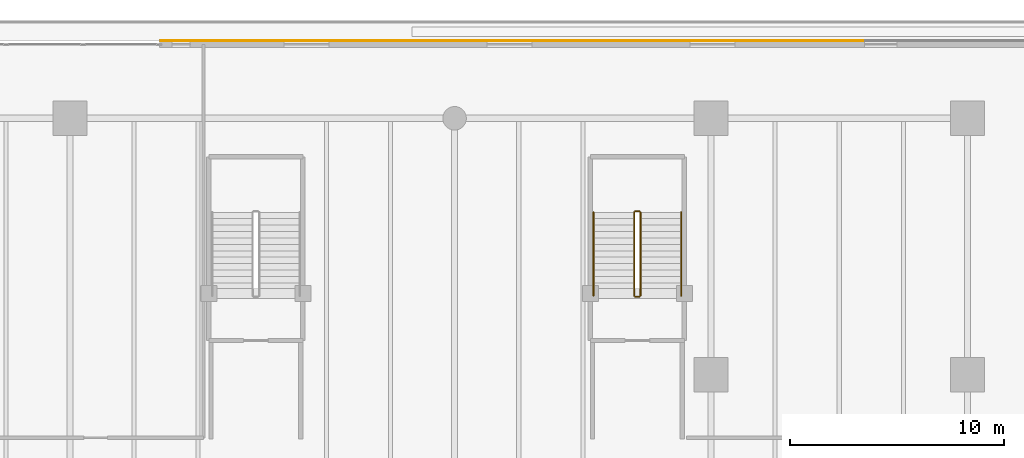
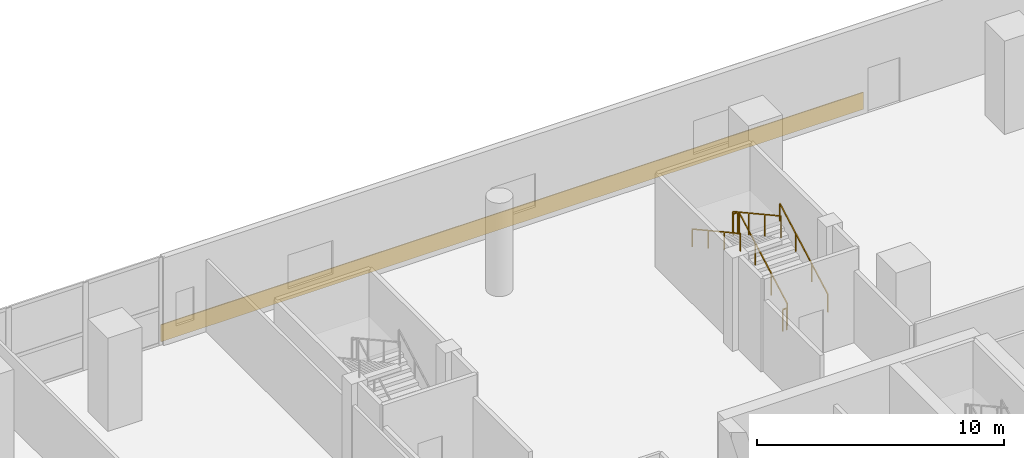
# One storey, part 26 of 27: 6 railings, 1 covering.
"""IFC4 building model written with IfcOpenShell, lengths in metres."""

import ifcopenshell
import ifcopenshell.guid

model = None  # the IFC model being written
_history = None  # IfcOwnerHistory: only IFC2X3 demands one
_inside = {}  # id of a spatial element -> (the spatial element, [elements in it])
_under = {}  # id of a project, library or spatial element -> (it, [spatial elements below it])
_declared = {}  # id of a project -> (the project, [libraries it declares])
_typed = {}  # id of a type object -> (the type object, [elements of that type])
_made_of = {}  # id of a material, layer set ... -> (it, [elements and type objects made of it])


def new_model(schema):
    """Start an empty IFC model of exactly this schema.

    Asked for "IFC4X3", IfcOpenShell would pick the latest addendum, in which some entities
    have other attributes; the version numbers below select the first issue.
    IFC2X3 requires an IfcOwnerHistory on every rooted entity: one is made here for all.
    """
    global model, _history
    if schema == "IFC4X3":
        model = ifcopenshell.file(schema_version=(4, 3, 0, 0))
    else:
        model = ifcopenshell.file(schema=schema)
    _inside.clear()
    _under.clear()
    _declared.clear()
    _typed.clear()
    _made_of.clear()
    _history = None
    if model.schema == "IFC2X3":
        org = make("IfcOrganization", Name="unknown")
        user = make(
            "IfcPersonAndOrganization",
            ThePerson=make("IfcPerson", FamilyName="unknown"),
            TheOrganization=org,
        )
        app = make(
            "IfcApplication",
            ApplicationDeveloper=org,
            Version="unknown",
            ApplicationFullName="unknown",
            ApplicationIdentifier="unknown",
        )
        _history = make(
            "IfcOwnerHistory",
            OwningUser=user,
            OwningApplication=app,
            ChangeAction="ADDED",
            CreationDate=0,
        )
    return model


def make(cls, **values):
    """One entity of the class cls with the attributes given. An attribute that is None is left unset."""
    return model.create_entity(
        cls, **{name: value for name, value in values.items() if value is not None}
    )


def rooted(cls, **values):
    """An entity with a GlobalId (a new one), such as an element, a storey or a relation."""
    return make(cls, GlobalId=ifcopenshell.guid.new(), OwnerHistory=_history, **values)


def si_unit(unit_type, name, prefix=None):
    """IfcSIUnit, for example si_unit("LENGTHUNIT", "METRE", prefix="MILLI")."""
    return make("IfcSIUnit", UnitType=unit_type, Prefix=prefix, Name=name)


def assignment(units):
    """IfcUnitAssignment: the units of a project."""
    return None if units is None else make("IfcUnitAssignment", Units=units)


def point(xyz):
    """IfcCartesianPoint."""
    return None if xyz is None else make("IfcCartesianPoint", Coordinates=xyz)


def direction(xyz):
    """IfcDirection."""
    return None if xyz is None else make("IfcDirection", DirectionRatios=xyz)


def frame(location, z_axis=None, x_axis=None):
    """IfcAxis2Placement3D, a coordinate frame: its origin and axes. An axis left out is left unset."""
    return make(
        "IfcAxis2Placement3D",
        Location=point(location),
        Axis=direction(z_axis),
        RefDirection=direction(x_axis),
    )


def frame_2d(location, x_axis=None):
    """IfcAxis2Placement2D, a coordinate frame in the plane: its origin and x axis."""
    return make(
        "IfcAxis2Placement2D", Location=point(location), RefDirection=direction(x_axis)
    )


def origin():
    """The frame at (0, 0, 0) with its axes left unset."""
    return frame((0.0, 0.0, 0.0))


def origin_2d():
    """The frame at (0, 0) in the plane with its x axis left unset."""
    return frame_2d((0.0, 0.0))


def place(relative_to, where):
    """IfcLocalPlacement: puts the frame where relative to a parent placement (None: the world)."""
    return make(
        "IfcLocalPlacement", PlacementRelTo=relative_to, RelativePlacement=where
    )


def context(
    kind, dimensions, precision=None, world=None, true_north=None, identifier=None
):
    """IfcGeometricRepresentationContext, for example the 3D "Model" context."""
    return make(
        "IfcGeometricRepresentationContext",
        ContextIdentifier=identifier,
        ContextType=kind,
        CoordinateSpaceDimension=dimensions,
        Precision=precision,
        WorldCoordinateSystem=world,
        TrueNorth=true_north,
    )


def subcontext(parent, identifier, kind, view, scale=None):
    """IfcGeometricRepresentationSubContext, for example "Body" below "Model"."""
    return make(
        "IfcGeometricRepresentationSubContext",
        ContextIdentifier=identifier,
        ContextType=kind,
        ParentContext=parent,
        TargetScale=scale,
        TargetView=view,
    )


def project(units=None, contexts=None):
    """IfcProject with its units and contexts."""
    return rooted(
        "IfcProject",
        Name="project",
        RepresentationContexts=contexts,
        UnitsInContext=assignment(units),
    )


def spatial(cls, under=None, at=None, **own):
    """A site, building, storey or space (cls), placed at a placement, below another one or the project."""
    s = rooted(cls, ObjectPlacement=at, **own)
    if under is not None:
        _under.setdefault(under.id(), (under, []))[1].append(s)
    return s


def profile(cls, at=None, kind="AREA", **sizes):
    """A parametric profile (cls). Its sizes go by their IFC names, for example OverallWidth=200.0."""
    return make(cls, ProfileType=kind, Position=at, **sizes)


def rectangle(**sizes):
    """IfcRectangleProfileDef."""
    return profile("IfcRectangleProfileDef", **sizes)


def extrude(swept, where, along, depth):
    """IfcExtrudedAreaSolid: the profile swept, set in the frame where, extruded along a direction by depth."""
    return make(
        "IfcExtrudedAreaSolid",
        SweptArea=swept,
        Position=where,
        ExtrudedDirection=direction(along),
        Depth=depth,
    )


def shape(context_of_items, identifier, shape_type, items):
    """IfcShapeRepresentation: the items that make up one representation, for example the "Body"."""
    return make(
        "IfcShapeRepresentation",
        ContextOfItems=context_of_items,
        RepresentationIdentifier=identifier,
        RepresentationType=shape_type,
        Items=items,
    )


def material(Name=None, Category=None):
    """IfcMaterial."""
    return make("IfcMaterial", Name=Name, Category=Category)


def layer(
    of_material, thickness, ventilated=None, Name=None, Category=None, Priority=None
):
    """IfcMaterialLayer: one layer of a wall or slab, of a material (None: an air gap)."""
    return make(
        "IfcMaterialLayer",
        Material=of_material,
        LayerThickness=thickness,
        IsVentilated=ventilated,
        Name=Name,
        Category=Category,
        Priority=Priority,
    )


def layer_set(layers, Name=None):
    """IfcMaterialLayerSet."""
    return make("IfcMaterialLayerSet", MaterialLayers=layers, LayerSetName=Name)


def made_of(thing, what):
    """Note that an element or type object is made of a material, layer set ...; save() writes the relation."""
    if what is not None:
        _made_of.setdefault(what.id(), (what, []))[1].append(thing)
    return thing


def type_object(cls, material=None, **own):
    """A type object (cls), such as IfcWallType, which elements share."""
    return made_of(rooted(cls, **own), material)


def element(
    cls,
    number,
    at=None,
    inside=None,
    cuts=None,
    type_object=None,
    material=None,
    context=None,
    identifier="Body",
    shape_type=None,
    held_by="IfcProductDefinitionShape",
    body=None,
    shapes=None,
    **own,
):
    """One element of the class cls, such as IfcWall. Its Tag is "e" and its number.

    at: its placement. inside: the storey or other place that contains it. cuts: it is an
    opening in that element (IfcRelVoidsElement). A single representation is given by context,
    identifier, shape_type and body (its items); several are given by shapes. held_by: the class
    of the entity that holds the representations. save() writes the other relations.
    """
    e = rooted(cls, Tag="e%d" % number, ObjectPlacement=at, **own)
    if body is not None:
        shapes = [shape(context, identifier, shape_type, body)]
    if shapes is not None:
        e.Representation = make(held_by, Representations=shapes)
    if inside is not None:
        _inside.setdefault(inside.id(), (inside, []))[1].append(e)
    if cuts is not None:
        rooted(
            "IfcRelVoidsElement", RelatingBuildingElement=cuts, RelatedOpeningElement=e
        )
    if type_object is not None:
        _typed.setdefault(type_object.id(), (type_object, []))[1].append(e)
    return made_of(e, material)


def aggregate(whole, parts):
    """IfcRelAggregates: a whole, such as a stair, and the parts it consists of."""
    return rooted("IfcRelAggregates", RelatingObject=whole, RelatedObjects=parts)


def save(model, path):
    """Write the relations noted so far, then the file.

    IfcRelAggregates (storeys below a building ...), IfcRelContainedInSpatialStructure (elements
    in a storey), IfcRelDefinesByType, IfcRelAssociatesMaterial and IfcRelDeclares: one each for
    every whole, place, type object, material and project.
    """
    for whole, parts in _under.values():
        aggregate(whole, parts)
    for where, things in _inside.values():
        rooted(
            "IfcRelContainedInSpatialStructure",
            RelatedElements=things,
            RelatingStructure=where,
        )
    for kind, things in _typed.values():
        rooted("IfcRelDefinesByType", RelatedObjects=things, RelatingType=kind)
    for what, things in _made_of.values():
        rooted("IfcRelAssociatesMaterial", RelatedObjects=things, RelatingMaterial=what)
    for by, libraries in _declared.values():
        rooted("IfcRelDeclares", RelatingContext=by, RelatedDefinitions=libraries)
    model.write(path)


model = new_model("IFC4")

# Units and contexts
model_context = context("Model", 3, precision=1e-05, world=origin(), true_north=direction((0.0, 1.0)))
body_context = subcontext(model_context, "Body", "Model", "MODEL_VIEW")
ifc_project = project(units=[si_unit("LENGTHUNIT", "METRE"), si_unit("AREAUNIT", "SQUARE_METRE"), si_unit("VOLUMEUNIT", "CUBIC_METRE"), si_unit("PLANEANGLEUNIT", "RADIAN"), si_unit("MASSUNIT", "GRAM", prefix="KILO")], contexts=[model_context])

# Site, building, storey
site_placement = place(None, origin())
site = spatial("IfcSite", under=ifc_project, at=site_placement, CompositionType="ELEMENT")
building_placement = place(site_placement, origin())
building = spatial("IfcBuilding", under=site, at=building_placement, Name="Tanjung Sevakor Pilgrim Tower", CompositionType="ELEMENT")
storey_placement = place(building_placement, frame((0.0, 0.0, 14.85009765625)))
storey = spatial("IfcBuildingStorey", under=building, at=storey_placement, Name="L04", CompositionType="ELEMENT", Elevation=14.85009765625)

# Covering
ifc_material_1 = material(Name="Reconstructed Limestone Cladding", Category="masonry")
ifc_layer = layer(ifc_material_1, 0.044921875)
ifc_layer_set = layer_set([ifc_layer], Name="COV-CLAD-LIMESTONE")
covering_type = type_object("IfcCoveringType", Name="COV-CLAD-LIMESTONE", PredefinedType="CLADDING", material=ifc_layer_set)
covering_placement = place(storey_placement, frame((80.68603515625, 64.222412109375, 0.009765625), z_axis=(0.0, 0.0, 1.0), x_axis=(-1.0, 0.0, 0.0)))
element("IfcCovering", 1, at=covering_placement, inside=storey, type_object=covering_type, Name="L04 Warm Limestone Sill Spandrel EW-L04-N1-2", PredefinedType="CLADDING", context=body_context, shape_type="SweptSolid", body=[
    extrude(rectangle(XDim=32.89208984375, YDim=0.044921875, at=origin_2d()), origin(), (0.0, 0.0, 1.0), 0.840087890625),
])

# Railings
ifc_material_2 = material(Name="Steel S355J2", Category="steel")
railing_type_1 = type_object("IfcRailingType", Name="RL-STAIR-GUARD", PredefinedType="GUARDRAIL", material=ifc_material_2)
railing_1_placement = place(storey_placement, frame((86.699951171875, 52.300048828125, 0.164794921875)))
element("IfcRailing", 2, at=railing_1_placement, inside=storey, type_object=railing_type_1, Name="L04 PS-6 stair guard 1", PredefinedType="GUARDRAIL", context=body_context, shape_type="SweptSolid", body=[
    extrude(rectangle(XDim=0.0479, YDim=0.0479), frame((0.0, 0.0, 1.076171875), z_axis=(0.0, 0.876208959939, 0.481931383625), x_axis=(-1.0, 0.0, 0.0)), (0.0, 0.0, 1.0), 4.450927734375),
    extrude(rectangle(XDim=0.042, YDim=0.042), origin(), (0.0, 0.0, 1.0), 1.052001953125),
    extrude(rectangle(XDim=0.042, YDim=0.042), frame((0.0, 1.300048828125, 0.715087890625)), (0.0, 0.0, 1.0), 1.052001953125),
    extrude(rectangle(XDim=0.042, YDim=0.042), frame((0.0, 2.599853515625, 1.429931640625)), (0.0, 0.0, 1.0), 1.052001953125),
    extrude(rectangle(XDim=0.042, YDim=0.042), frame((0.0, 3.89990234375, 2.14501953125)), (0.0, 0.0, 1.0), 1.052001953125),
])
railing_2_placement = place(storey_placement, frame((86.64990234375, 56.25, 2.309814453125)))
element("IfcRailing", 3, at=railing_2_placement, inside=storey, type_object=railing_type_1, Name="L04 PS-6 stair guard 2", PredefinedType="GUARDRAIL", context=body_context, shape_type="SweptSolid", body=[
    extrude(rectangle(XDim=0.0479, YDim=0.0479), frame((0.0, 0.0, 1.076171875), z_axis=(-1.0, 0.0, 0.0), x_axis=(0.0, -1.0, 0.0)), (0.0, 0.0, 1.0), 0.199951171875),
    extrude(rectangle(XDim=0.042, YDim=0.042), origin(), (0.0, 0.0, 1.0), 1.052001953125),
    extrude(rectangle(XDim=0.042, YDim=0.042), frame((-0.199951171875, 0.0, 0.0)), (0.0, 0.0, 1.0), 1.052001953125),
])
railing_3_placement = place(storey_placement, frame((86.39990234375, 56.199951171875, 2.474853515625)))
element("IfcRailing", 4, at=railing_3_placement, inside=storey, type_object=railing_type_1, Name="L04 PS-6 stair guard 3", PredefinedType="GUARDRAIL", context=body_context, shape_type="SweptSolid", body=[
    extrude(rectangle(XDim=0.0479, YDim=0.0479), frame((0.0, 0.0, 1.076171875), z_axis=(0.0, -0.876208959939, 0.481931383625), x_axis=(1.0, 0.0, 0.0)), (0.0, 0.0, 1.0), 4.450927734375),
    extrude(rectangle(XDim=0.042, YDim=0.042), origin(), (0.0, 0.0, 1.0), 1.052001953125),
    extrude(rectangle(XDim=0.042, YDim=0.042), frame((0.0, -1.300048828125, 0.715087890625)), (0.0, 0.0, 1.0), 1.052001953125),
    extrude(rectangle(XDim=0.042, YDim=0.042), frame((0.0, -2.599853515625, 1.429931640625)), (0.0, 0.0, 1.0), 1.052001953125),
    extrude(rectangle(XDim=0.042, YDim=0.042), frame((0.0, -3.89990234375, 2.14501953125)), (0.0, 0.0, 1.0), 1.052001953125),
])
railing_4_placement = place(storey_placement, frame((86.64990234375, 52.25, 0.0)))
element("IfcRailing", 5, at=railing_4_placement, inside=storey, type_object=railing_type_1, Name="L04 PS-6 stair guard 4", PredefinedType="GUARDRAIL", context=body_context, shape_type="SweptSolid", body=[
    extrude(rectangle(XDim=0.0479, YDim=0.0479), frame((0.0, 0.0, 1.076171875), z_axis=(-1.0, 0.0, 0.0), x_axis=(0.0, -1.0, 0.0)), (0.0, 0.0, 1.0), 0.199951171875),
    extrude(rectangle(XDim=0.042, YDim=0.042), origin(), (0.0, 0.0, 1.0), 1.052001953125),
    extrude(rectangle(XDim=0.042, YDim=0.042), frame((-0.199951171875, 0.0, 0.0)), (0.0, 0.0, 1.0), 1.052001953125),
])
ifc_material_3 = material(Name="Steel S355J2", Category="steel")
railing_type_2 = type_object("IfcRailingType", Name="RL-STAIR-HAND", PredefinedType="HANDRAIL", material=ifc_material_3)
railing_5_placement = place(storey_placement, frame((88.60009765625, 52.300048828125, 0.164794921875)))
element("IfcRailing", 6, at=railing_5_placement, inside=storey, type_object=railing_type_2, Name="L04 PS-6 stair handrail 1", PredefinedType="HANDRAIL", context=body_context, shape_type="SweptSolid", body=[
    extrude(rectangle(XDim=0.0479, YDim=0.0479), frame((0.0, 0.0, 0.8759765625), z_axis=(0.0, 0.876208959939, 0.481931383625), x_axis=(-1.0, 0.0, 0.0)), (0.0, 0.0, 1.0), 4.450927734375),
    extrude(rectangle(XDim=0.042, YDim=0.042), origin(), (0.0, 0.0, 1.0), 0.851806640625),
    extrude(rectangle(XDim=0.042, YDim=0.042), frame((0.0, 1.300048828125, 0.715087890625)), (0.0, 0.0, 1.0), 0.851806640625),
    extrude(rectangle(XDim=0.042, YDim=0.042), frame((0.0, 2.599853515625, 1.429931640625)), (0.0, 0.0, 1.0), 0.851806640625),
    extrude(rectangle(XDim=0.042, YDim=0.042), frame((0.0, 3.89990234375, 2.14501953125)), (0.0, 0.0, 1.0), 0.851806640625),
])
railing_6_placement = place(storey_placement, frame((84.5, 56.199951171875, 2.474853515625)))
element("IfcRailing", 7, at=railing_6_placement, inside=storey, type_object=railing_type_2, Name="L04 PS-6 stair handrail 2", PredefinedType="HANDRAIL", context=body_context, shape_type="SweptSolid", body=[
    extrude(rectangle(XDim=0.0479, YDim=0.0479), frame((0.0, 0.0, 0.8759765625), z_axis=(0.0, -0.876208959939, 0.481931383625), x_axis=(1.0, 0.0, 0.0)), (0.0, 0.0, 1.0), 4.450927734375),
    extrude(rectangle(XDim=0.042, YDim=0.042), origin(), (0.0, 0.0, 1.0), 0.851806640625),
    extrude(rectangle(XDim=0.042, YDim=0.042), frame((0.0, -1.300048828125, 0.715087890625)), (0.0, 0.0, 1.0), 0.851806640625),
    extrude(rectangle(XDim=0.042, YDim=0.042), frame((0.0, -2.599853515625, 1.429931640625)), (0.0, 0.0, 1.0), 0.851806640625),
    extrude(rectangle(XDim=0.042, YDim=0.042), frame((0.0, -3.89990234375, 2.14501953125)), (0.0, 0.0, 1.0), 0.851806640625),
])

save(model, "model.ifc")
